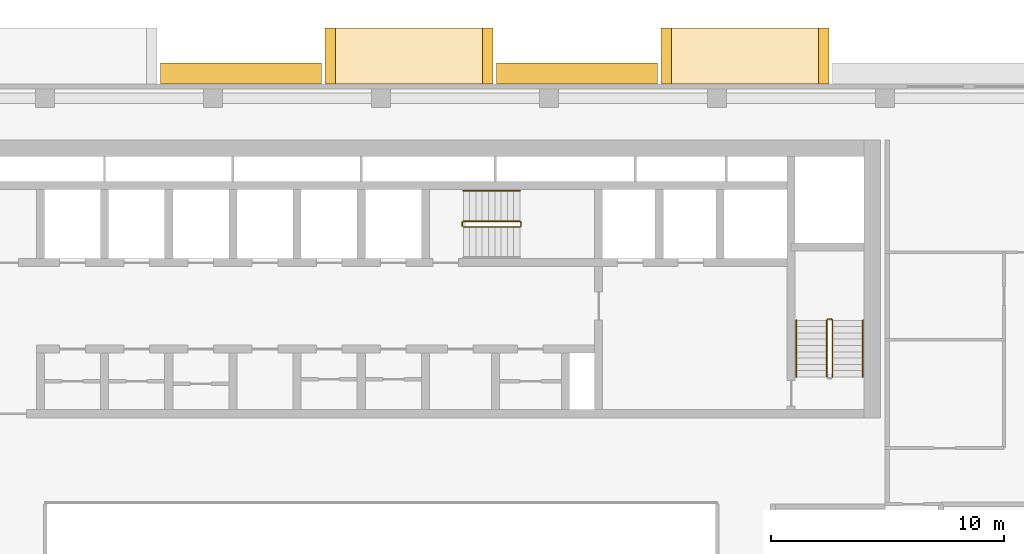
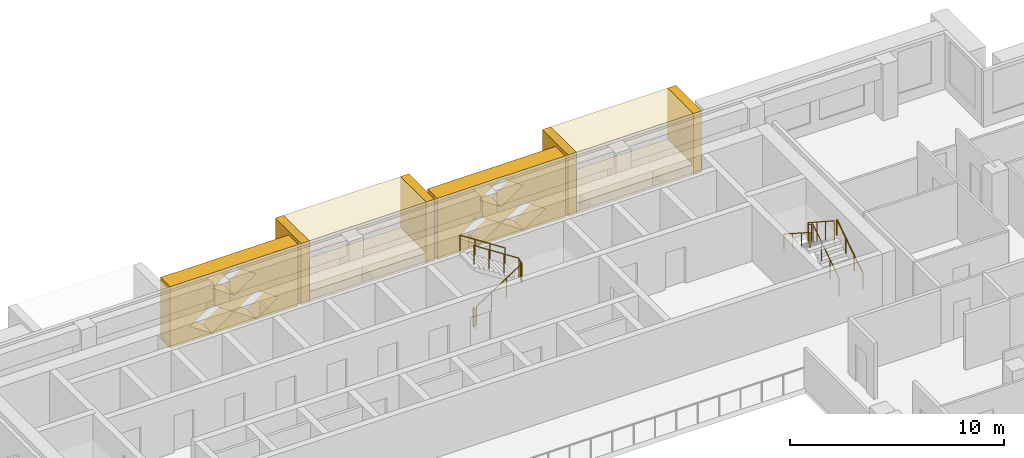
# One storey, part 19 of 20: 10 coverings, 6 railings.
"""IFC4 building model written with IfcOpenShell, lengths in metres."""

from ifc_helpers import new_model, si_unit, direction, frame, origin, origin_2d, place, context, subcontext, project, spatial, polyline, circle, outline, extrude, material, type_object, element, save


model = new_model("IFC4")

# Units and contexts
model_context = context("Model", 3, precision=1e-05, world=origin(), true_north=direction((0.0, 1.0)))
body_context = subcontext(model_context, "Body", "Model", "MODEL_VIEW")
ifc_project = project(units=[si_unit("LENGTHUNIT", "METRE"), si_unit("AREAUNIT", "SQUARE_METRE"), si_unit("VOLUMEUNIT", "CUBIC_METRE"), si_unit("PLANEANGLEUNIT", "RADIAN"), si_unit("MASSUNIT", "GRAM", prefix="KILO")], contexts=[model_context])

# Site, building, storey
site_placement = place(None, origin())
site = spatial("IfcSite", under=ifc_project, at=site_placement, CompositionType="ELEMENT")
building_placement = place(site_placement, origin())
building = spatial("IfcBuilding", under=site, at=building_placement, Name="Saffron Iwan Residences", CompositionType="ELEMENT")
storey_placement = place(building_placement, frame((0.0, 0.0, 195.5)))
storey = spatial("IfcBuildingStorey", under=building, at=storey_placement, Name="L52", CompositionType="ELEMENT", Elevation=195.5)

# Coverings
ifc_material_1 = material(Name="Precast concrete C40/50", Category="concrete")
covering_type_1 = type_object("IfcCoveringType", Name="OUTER SKIN LATTICE SCREEN", PredefinedType="CLADDING", material=ifc_material_1)
for number, where, z_axis, x_axis, name in (
    (1, (62.25, 80.39990234375, -0.300048828125), (0.0, 1.0, 0.0), (-1.0, 0.0, 0.0), "OUTER SKIN lattice screen L52 F5.1"),
    (2, (47.85009765625, 80.39990234375, -0.300048828125), (0.0, 1.0, 0.0), (-1.0, 0.0, 0.0), "OUTER SKIN lattice screen L52 F5.2"),
):
    element("IfcCovering", number, at=place(storey_placement, frame(where, z_axis=z_axis, x_axis=x_axis)), inside=storey, type_object=covering_type_1, Name=name, PredefinedType="CLADDING", context=body_context, shape_type="SweptSolid", body=[
        extrude(outline(polyline([(0.0, 0.0), (6.89990234375, 0.0), (6.89990234375, 3.5), (0.0, 3.5), (0.0, 0.0)]), holes=[polyline([(1.070068359375, 0.875), (2.25, 0.06005859375), (3.429931640625, 0.875), (2.25, 1.68994140625), (1.070068359375, 0.875)]), polyline([(3.469970703125, 0.875), (4.64990234375, 0.06005859375), (5.830078125, 0.875), (4.64990234375, 1.68994140625), (3.469970703125, 0.875)]), polyline([(2.27001953125, 2.625), (3.449951171875, 1.81005859375), (4.6298828125, 2.625), (3.449951171875, 3.43994140625), (2.27001953125, 2.625)])]), origin(), (0.0, 0.0, 1.0), 0.900146484375),
    ])

# Railings
ifc_material_2 = material(Name="Steel S355", Category="steel")
railing_type_1 = type_object("IfcRailingType", Name="Stair guard 1100", PredefinedType="GUARDRAIL", material=ifc_material_2)
railing_1_placement = place(storey_placement, frame((53.925048828125, 74.27490234375, 0.175048828125)))
element("IfcRailing", 3, at=railing_1_placement, inside=storey, type_object=railing_type_1, Name="L52 ST-C stair guard 1", PredefinedType="GUARDRAIL", context=body_context, shape_type="SweptSolid", body=[
    extrude(circle(Radius=0.02392578125, at=origin_2d()), frame((0.0, 0.0, 1.076171875), z_axis=(0.839153699163, 0.0, 0.543894354798), x_axis=(0.0, 1.0, 0.0)), (0.0, 0.0, 1.0), 2.895751953125),
    extrude(circle(Radius=0.02392578125, at=origin_2d()), frame((2.429931640625, 0.0, 2.65087890625), z_axis=(0.707106781187, 0.707106781187, 0.0), x_axis=(-0.707106781187, 0.707106781187, 0.0)), (0.0, 0.0, 1.0), 0.07080078125),
    extrude(circle(Radius=0.02392578125, at=origin_2d()), frame((2.47998046875, 0.050048828125, 2.65087890625), z_axis=(0.0, 1.0, 0.0), x_axis=(-1.0, 0.0, 0.0)), (0.0, 0.0, 1.0), 0.150146484375),
    extrude(circle(Radius=0.02392578125, at=origin_2d()), frame((2.47998046875, 0.2001953125, 2.65087890625), z_axis=(-0.265155923931, 0.263862480399, 0.927399011991), x_axis=(-0.705375805398, -0.708833529934, 0.0)), (0.0, 0.0, 1.0), 0.188720703125),
    extrude(circle(Radius=0.02392578125, at=origin_2d()), frame((2.429931640625, 0.25, 2.826171875), z_axis=(-0.839153699163, 0.0, 0.543894354798), x_axis=(0.0, -1.0, 0.0)), (0.0, 0.0, 1.0), 2.895751953125),
    extrude(circle(Radius=0.02099609375, at=origin_2d()), origin(), (0.0, 0.0, 1.0), 1.052001953125),
    extrude(circle(Radius=0.02099609375, at=origin_2d()), frame((0.81005859375, 0.0, 0.52490234375)), (0.0, 0.0, 1.0), 1.052001953125),
    extrude(circle(Radius=0.02099609375, at=origin_2d()), frame((1.619873046875, 0.0, 1.050048828125)), (0.0, 0.0, 1.0), 1.052001953125),
    extrude(circle(Radius=0.02099609375, at=origin_2d()), frame((2.429931640625, 0.0, 1.574951171875)), (0.0, 0.0, 1.0), 1.052001953125),
    extrude(circle(Radius=0.02099609375, at=origin_2d()), frame((2.47998046875, 0.050048828125, 1.574951171875)), (0.0, 0.0, 1.0), 1.052001953125),
    extrude(circle(Radius=0.02099609375, at=origin_2d()), frame((2.47998046875, 0.2001953125, 1.574951171875)), (0.0, 0.0, 1.0), 1.052001953125),
    extrude(circle(Radius=0.02099609375, at=origin_2d()), frame((2.429931640625, 0.25, 1.75)), (0.0, 0.0, 1.0), 1.052001953125),
    extrude(circle(Radius=0.02099609375, at=origin_2d()), frame((1.619873046875, 0.25, 2.27490234375)), (0.0, 0.0, 1.0), 1.052001953125),
    extrude(circle(Radius=0.02099609375, at=origin_2d()), frame((0.81005859375, 0.25, 2.800048828125)), (0.0, 0.0, 1.0), 1.052001953125),
    extrude(circle(Radius=0.02099609375, at=origin_2d()), frame((0.0, 0.25, 3.324951171875)), (0.0, 0.0, 1.0), 1.052001953125),
])
railing_2_placement = place(storey_placement, frame((53.875, 74.324951171875, 0.0)))
element("IfcRailing", 4, at=railing_2_placement, inside=storey, type_object=railing_type_1, Name="L52 ST-C stair guard 2", PredefinedType="GUARDRAIL", context=body_context, shape_type="SweptSolid", body=[
    extrude(circle(Radius=0.02392578125, at=origin_2d()), frame((0.0, 0.0, 1.076171875), z_axis=(0.0, 1.0, 0.0), x_axis=(-1.0, 0.0, 0.0)), (0.0, 0.0, 1.0), 0.150146484375),
    extrude(circle(Radius=0.02099609375, at=origin_2d()), origin(), (0.0, 0.0, 1.0), 1.052001953125),
    extrude(circle(Radius=0.02099609375, at=origin_2d()), frame((0.0, 0.150146484375, 0.0)), (0.0, 0.0, 1.0), 1.052001953125),
])
railing_3_placement = place(storey_placement, frame((69.75, 67.85009765625, 0.175048828125)))
element("IfcRailing", 5, at=railing_3_placement, inside=storey, type_object=railing_type_1, Name="L52 ST-E stair guard 1", PredefinedType="GUARDRAIL", context=body_context, shape_type="SweptSolid", body=[
    extrude(circle(Radius=0.02392578125, at=origin_2d()), frame((0.0, 0.0, 1.076171875), z_axis=(0.0, 0.839153699163, 0.543894354798), x_axis=(-1.0, 0.0, 0.0)), (0.0, 0.0, 1.0), 2.895751953125),
    extrude(circle(Radius=0.02392578125, at=origin_2d()), frame((0.0, 2.429931640625, 2.65087890625), z_axis=(-0.707106781187, 0.707106781187, 0.0), x_axis=(-0.707106781187, -0.707106781187, 0.0)), (0.0, 0.0, 1.0), 0.07080078125),
    extrude(circle(Radius=0.02392578125, at=origin_2d()), frame((-0.050048828125, 2.47998046875, 2.65087890625), z_axis=(-1.0, 0.0, 0.0), x_axis=(0.0, -1.0, 0.0)), (0.0, 0.0, 1.0), 0.14990234375),
    extrude(circle(Radius=0.02392578125, at=origin_2d()), frame((-0.199951171875, 2.47998046875, 2.65087890625), z_axis=(-0.265065253269, -0.265065253269, 0.927081885822), x_axis=(0.707106781187, -0.707106781187, 0.0)), (0.0, 0.0, 1.0), 0.188720703125),
    extrude(circle(Radius=0.02392578125, at=origin_2d()), frame((-0.25, 2.429931640625, 2.826171875), z_axis=(0.0, -0.839153699163, 0.543894354798), x_axis=(1.0, 0.0, 0.0)), (0.0, 0.0, 1.0), 2.895751953125),
    extrude(circle(Radius=0.02099609375, at=origin_2d()), origin(), (0.0, 0.0, 1.0), 1.052001953125),
    extrude(circle(Radius=0.02099609375, at=origin_2d()), frame((0.0, 0.81005859375, 0.52490234375)), (0.0, 0.0, 1.0), 1.052001953125),
    extrude(circle(Radius=0.02099609375, at=origin_2d()), frame((0.0, 1.619873046875, 1.050048828125)), (0.0, 0.0, 1.0), 1.052001953125),
    extrude(circle(Radius=0.02099609375, at=origin_2d()), frame((0.0, 2.429931640625, 1.574951171875)), (0.0, 0.0, 1.0), 1.052001953125),
    extrude(circle(Radius=0.02099609375, at=origin_2d()), frame((-0.050048828125, 2.47998046875, 1.574951171875)), (0.0, 0.0, 1.0), 1.052001953125),
    extrude(circle(Radius=0.02099609375, at=origin_2d()), frame((-0.199951171875, 2.47998046875, 1.574951171875)), (0.0, 0.0, 1.0), 1.052001953125),
    extrude(circle(Radius=0.02099609375, at=origin_2d()), frame((-0.25, 2.429931640625, 1.75)), (0.0, 0.0, 1.0), 1.052001953125),
    extrude(circle(Radius=0.02099609375, at=origin_2d()), frame((-0.25, 1.619873046875, 2.27490234375)), (0.0, 0.0, 1.0), 1.052001953125),
    extrude(circle(Radius=0.02099609375, at=origin_2d()), frame((-0.25, 0.81005859375, 2.800048828125)), (0.0, 0.0, 1.0), 1.052001953125),
    extrude(circle(Radius=0.02099609375, at=origin_2d()), frame((-0.25, 0.0, 3.324951171875)), (0.0, 0.0, 1.0), 1.052001953125),
])
ifc_material_3 = material(Name="Stainless steel 316", Category="steel")
railing_type_2 = type_object("IfcRailingType", Name="Stair handrail 900", PredefinedType="HANDRAIL", material=ifc_material_3)
railing_4_placement = place(storey_placement, frame((56.35498046875, 75.824951171875, 1.925048828125)))
element("IfcRailing", 6, at=railing_4_placement, inside=storey, type_object=railing_type_2, Name="L52 ST-C stair handrail 2", PredefinedType="HANDRAIL", context=body_context, shape_type="SweptSolid", body=[
    extrude(circle(Radius=0.02392578125, at=origin_2d()), frame((0.0, 0.0, 0.8759765625), z_axis=(-0.839153699163, 0.0, 0.543894354798), x_axis=(0.0, -1.0, 0.0)), (0.0, 0.0, 1.0), 2.895751953125),
    extrude(circle(Radius=0.02099609375, at=origin_2d()), origin(), (0.0, 0.0, 1.0), 0.851806640625),
    extrude(circle(Radius=0.02099609375, at=origin_2d()), frame((-0.81005859375, 0.0, 0.52490234375)), (0.0, 0.0, 1.0), 0.851806640625),
    extrude(circle(Radius=0.02099609375, at=origin_2d()), frame((-1.619873046875, 0.0, 1.050048828125)), (0.0, 0.0, 1.0), 0.851806640625),
    extrude(circle(Radius=0.02099609375, at=origin_2d()), frame((-2.429931640625, 0.0, 1.574951171875)), (0.0, 0.0, 1.0), 0.851806640625),
])
railing_5_placement = place(storey_placement, frame((71.050048828125, 67.85009765625, 0.175048828125)))
element("IfcRailing", 7, at=railing_5_placement, inside=storey, type_object=railing_type_2, Name="L52 ST-E stair handrail 1", PredefinedType="HANDRAIL", context=body_context, shape_type="SweptSolid", body=[
    extrude(circle(Radius=0.02392578125, at=origin_2d()), frame((0.0, 0.0, 0.8759765625), z_axis=(0.0, 0.839153699163, 0.543894354798), x_axis=(-1.0, 0.0, 0.0)), (0.0, 0.0, 1.0), 2.895751953125),
    extrude(circle(Radius=0.02099609375, at=origin_2d()), origin(), (0.0, 0.0, 1.0), 0.851806640625),
    extrude(circle(Radius=0.02099609375, at=origin_2d()), frame((0.0, 0.81005859375, 0.52490234375)), (0.0, 0.0, 1.0), 0.851806640625),
    extrude(circle(Radius=0.02099609375, at=origin_2d()), frame((0.0, 1.619873046875, 1.050048828125)), (0.0, 0.0, 1.0), 0.851806640625),
    extrude(circle(Radius=0.02099609375, at=origin_2d()), frame((0.0, 2.429931640625, 1.574951171875)), (0.0, 0.0, 1.0), 0.851806640625),
])
railing_6_placement = place(storey_placement, frame((68.199951171875, 70.280029296875, 1.925048828125)))
element("IfcRailing", 8, at=railing_6_placement, inside=storey, type_object=railing_type_2, Name="L52 ST-E stair handrail 2", PredefinedType="HANDRAIL", context=body_context, shape_type="SweptSolid", body=[
    extrude(circle(Radius=0.02392578125, at=origin_2d()), frame((0.0, 0.0, 0.8759765625), z_axis=(0.0, -0.839153699163, 0.543894354798), x_axis=(1.0, 0.0, 0.0)), (0.0, 0.0, 1.0), 2.895751953125),
    extrude(circle(Radius=0.02099609375, at=origin_2d()), origin(), (0.0, 0.0, 1.0), 0.851806640625),
    extrude(circle(Radius=0.02099609375, at=origin_2d()), frame((0.0, -0.81005859375, 0.52490234375)), (0.0, 0.0, 1.0), 0.851806640625),
    extrude(circle(Radius=0.02099609375, at=origin_2d()), frame((0.0, -1.619873046875, 1.050048828125)), (0.0, 0.0, 1.0), 0.851806640625),
    extrude(circle(Radius=0.02099609375, at=origin_2d()), frame((0.0, -2.429931640625, 1.574951171875)), (0.0, 0.0, 1.0), 0.851806640625),
])

# Coverings
ifc_material_4 = material(Name="Precast concrete C40/50 white painted", Category="concrete")
covering_type_2 = type_object("IfcCoveringType", Name="WHITE SUN FRAME PRECAST", PredefinedType="CLADDING", material=ifc_material_4)
for number, where, z_axis, x_axis, name in (
    (9, (69.60009765625, 80.39990234375, -0.300048828125), (0.0, 1.0, 0.0), (-1.0, 0.0, 0.0), "Sun frame L52 F5 13.2a"),
    (10, (62.85009765625, 80.39990234375, -0.300048828125), (0.0, 1.0, 0.0), (-1.0, 0.0, 0.0), "Sun frame L52 F5 13.2b"),
):
    element("IfcCovering", number, at=place(storey_placement, frame(where, z_axis=z_axis, x_axis=x_axis)), inside=storey, type_object=covering_type_2, Name=name, PredefinedType="CLADDING", context=body_context, shape_type="SweptSolid", body=[
        extrude(outline(polyline([(0.0, 0.0), (0.449951171875, 0.0), (0.449951171875, 3.5), (0.0, 3.5), (0.0, 0.0)])), origin(), (0.0, 0.0, 1.0), 2.400146484375),
    ])
for number, where, z_axis, x_axis, name in (
    (11, (69.14990234375, 80.39990234375, 2.60009765625), (0.0, 1.0, 0.0), (-1.0, 0.0, 0.0), "Sun frame L52 F5 13.2h"),
    (12, (69.14990234375, 80.39990234375, -0.300048828125), (0.0, 1.0, 0.0), (-1.0, 0.0, 0.0), "Sun frame L52 F5 13.2s"),
):
    element("IfcCovering", number, at=place(storey_placement, frame(where, z_axis=z_axis, x_axis=x_axis)), inside=storey, type_object=covering_type_2, Name=name, PredefinedType="CLADDING", context=body_context, shape_type="SweptSolid", body=[
        extrude(outline(polyline([(0.0, 0.0), (6.300048828125, 0.0), (6.300048828125, 0.60009765625), (0.0, 0.60009765625), (0.0, 0.0)])), origin(), (0.0, 0.0, 1.0), 2.400146484375),
    ])
for number, where, z_axis, x_axis, name in (
    (13, (55.199951171875, 80.39990234375, -0.300048828125), (0.0, 1.0, 0.0), (-1.0, 0.0, 0.0), "Sun frame L52 F5 27.6a"),
    (14, (48.449951171875, 80.39990234375, -0.300048828125), (0.0, 1.0, 0.0), (-1.0, 0.0, 0.0), "Sun frame L52 F5 27.6b"),
):
    element("IfcCovering", number, at=place(storey_placement, frame(where, z_axis=z_axis, x_axis=x_axis)), inside=storey, type_object=covering_type_2, Name=name, PredefinedType="CLADDING", context=body_context, shape_type="SweptSolid", body=[
        extrude(outline(polyline([(0.0, 0.0), (0.449951171875, 0.0), (0.449951171875, 3.5), (0.0, 3.5), (0.0, 0.0)])), origin(), (0.0, 0.0, 1.0), 2.400146484375),
    ])
for number, where, z_axis, x_axis, name in (
    (15, (54.75, 80.39990234375, 2.60009765625), (0.0, 1.0, 0.0), (-1.0, 0.0, 0.0), "Sun frame L52 F5 27.6h"),
    (16, (54.75, 80.39990234375, -0.300048828125), (0.0, 1.0, 0.0), (-1.0, 0.0, 0.0), "Sun frame L52 F5 27.6s"),
):
    element("IfcCovering", number, at=place(storey_placement, frame(where, z_axis=z_axis, x_axis=x_axis)), inside=storey, type_object=covering_type_2, Name=name, PredefinedType="CLADDING", context=body_context, shape_type="SweptSolid", body=[
        extrude(outline(polyline([(0.0, 0.0), (6.300048828125, 0.0), (6.300048828125, 0.60009765625), (0.0, 0.60009765625), (0.0, 0.0)])), origin(), (0.0, 0.0, 1.0), 2.400146484375),
    ])

save(model, "model.ifc")
